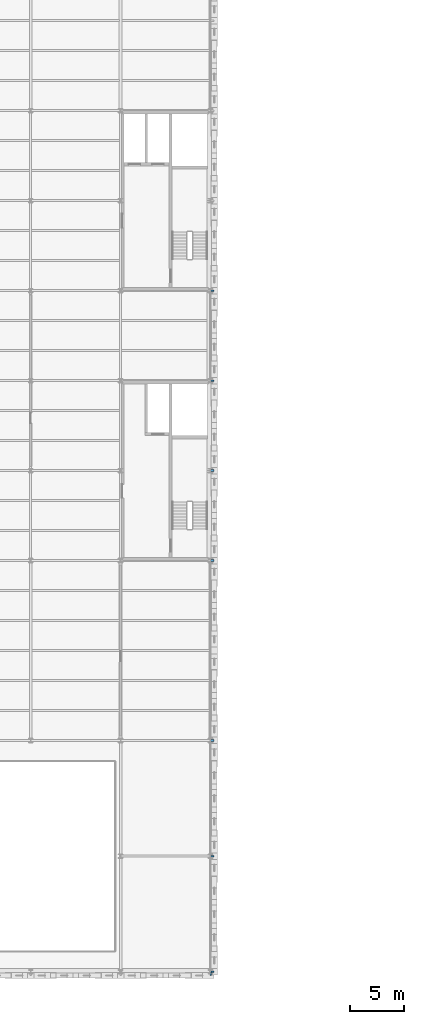
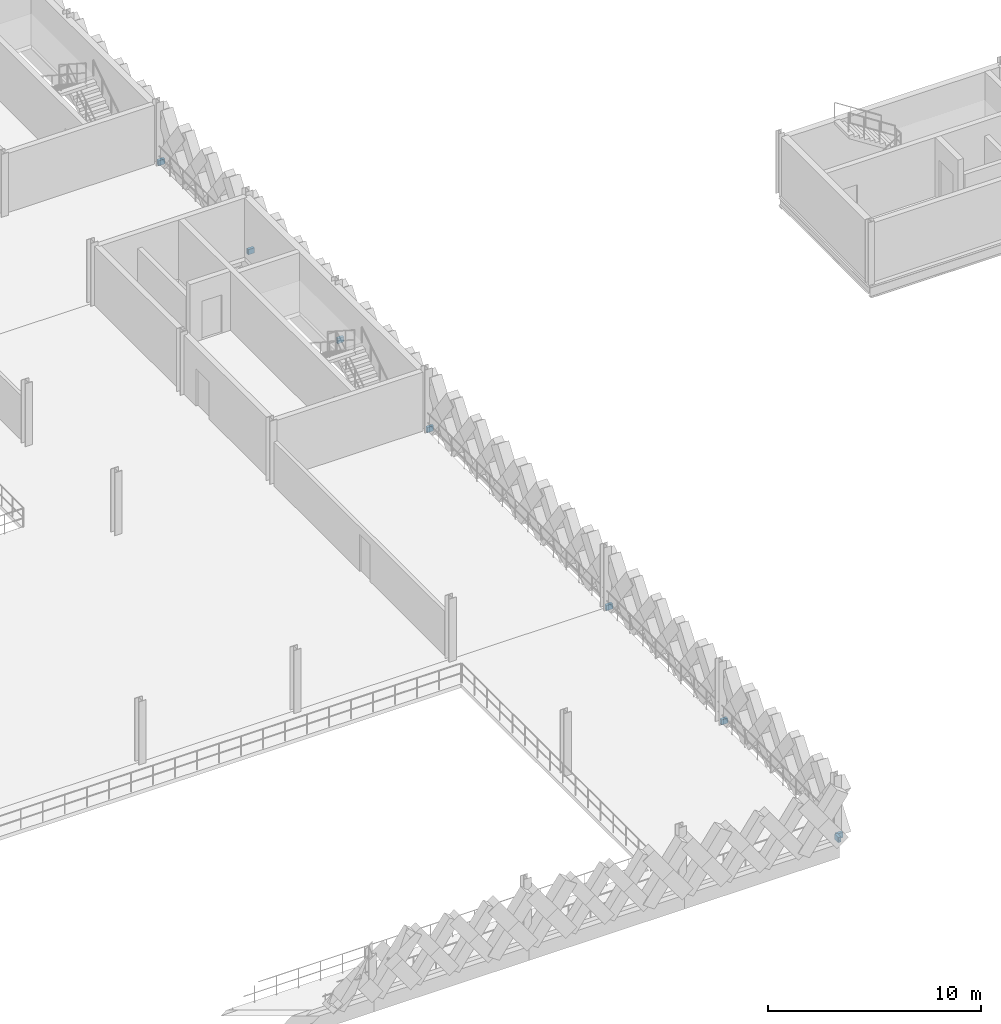
# One storey, part 46 of 79: 8 members.
"""IFC4 building model written with IfcOpenShell, lengths in metres."""

from ifc_helpers import new_model, si_unit, direction, frame, origin, origin_2d, place, context, subcontext, project, spatial, hollow_rectangle, extrude, material, material_profile, profile_set, type_object, element, save


model = new_model("IFC4")

# Units and contexts
model_context = context("Model", 3, precision=1e-05, world=origin(), true_north=direction((0.0, 1.0)))
body_context = subcontext(model_context, "Body", "Model", "MODEL_VIEW")
ifc_project = project(units=[si_unit("LENGTHUNIT", "METRE"), si_unit("AREAUNIT", "SQUARE_METRE"), si_unit("VOLUMEUNIT", "CUBIC_METRE"), si_unit("PLANEANGLEUNIT", "RADIAN"), si_unit("MASSUNIT", "GRAM", prefix="KILO"), si_unit("THERMODYNAMICTEMPERATUREUNIT", "KELVIN"), si_unit("POWERUNIT", "WATT")], contexts=[model_context])

# Site, building, storey
site_placement = place(None, origin())
site = spatial("IfcSite", under=ifc_project, at=site_placement, CompositionType="ELEMENT")
building_placement = place(site_placement, origin())
building = spatial("IfcBuilding", under=site, at=building_placement, Name="Tembeka Court Mobility Hub", CompositionType="ELEMENT")
storey_placement = place(building_placement, frame((0.0, 0.0, 9.0)))
storey = spatial("IfcBuildingStorey", under=building, at=storey_placement, Name="L02", CompositionType="ELEMENT", Elevation=9.0)

# Members
ifc_material = material(Name="Steel S355", Category="steel")
ifc_material_profile = material_profile(ifc_material, hollow_rectangle(XDim=0.14990234375, YDim=0.300048828125, WallThickness=0.010009765625, at=origin_2d()), Name="RHS 300x150x10")
ifc_profile_set = profile_set([ifc_material_profile], Name="Steel S355")
member_type = type_object("IfcMemberType", Name="MEM-ST03", PredefinedType="STRUT", material=ifc_profile_set)
for number, where, z_axis, x_axis, name in (
    (1, (92.39990234375, 0.0, 0.02001953125), (0.0, -1.0, 0.0), (1.0, 0.0, 0.0), "Lattice outrigger tie SR03 (L02-Y-92)"),
    (2, (92.39990234375, 0.0, 0.02001953125), (1.0, 0.0, 0.0), (0.0, 1.0, 0.0), "Lattice outrigger tie SR03 (L02-X-0)"),
    (3, (92.39990234375, 10.800048828125, 0.02001953125), (1.0, 0.0, 0.0), (0.0, 1.0, 0.0), "Lattice outrigger tie SR03 (L02-X-10)"),
    (4, (92.39990234375, 21.60009765625, 0.02001953125), (1.0, 0.0, 0.0), (0.0, 1.0, 0.0), "Lattice outrigger tie SR03 (L02-X-21)"),
    (5, (92.39990234375, 38.39990234375, 0.02001953125), (1.0, 0.0, 0.0), (0.0, 1.0, 0.0), "Lattice outrigger tie SR03 (L02-X-38)"),
    (6, (92.39990234375, 46.800048828125, 0.02001953125), (1.0, 0.0, 0.0), (0.0, 1.0, 0.0), "Lattice outrigger tie SR03 (L02-X-46)"),
    (7, (92.39990234375, 55.199951171875, 0.02001953125), (1.0, 0.0, 0.0), (0.0, 1.0, 0.0), "Lattice outrigger tie SR03 (L02-X-55)"),
    (8, (92.39990234375, 63.60009765625, 0.02001953125), (1.0, 0.0, 0.0), (0.0, 1.0, 0.0), "Lattice outrigger tie SR03 (L02-X-63)"),
):
    element("IfcMember", number, at=place(storey_placement, frame(where, z_axis=z_axis, x_axis=x_axis)), inside=storey, type_object=member_type, Name=name, PredefinedType="STRUT", context=body_context, shape_type="SweptSolid", body=[
        extrude(hollow_rectangle(XDim=0.14990234375, YDim=0.300048828125, WallThickness=0.010009765625, at=origin_2d()), origin(), (0.0, 0.0, 1.0), 0.340087890625),
    ])

save(model, "model.ifc")
